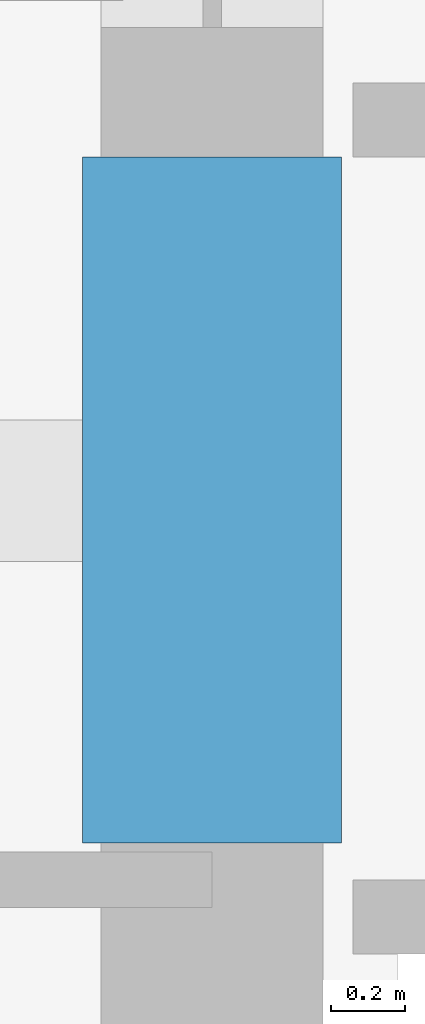
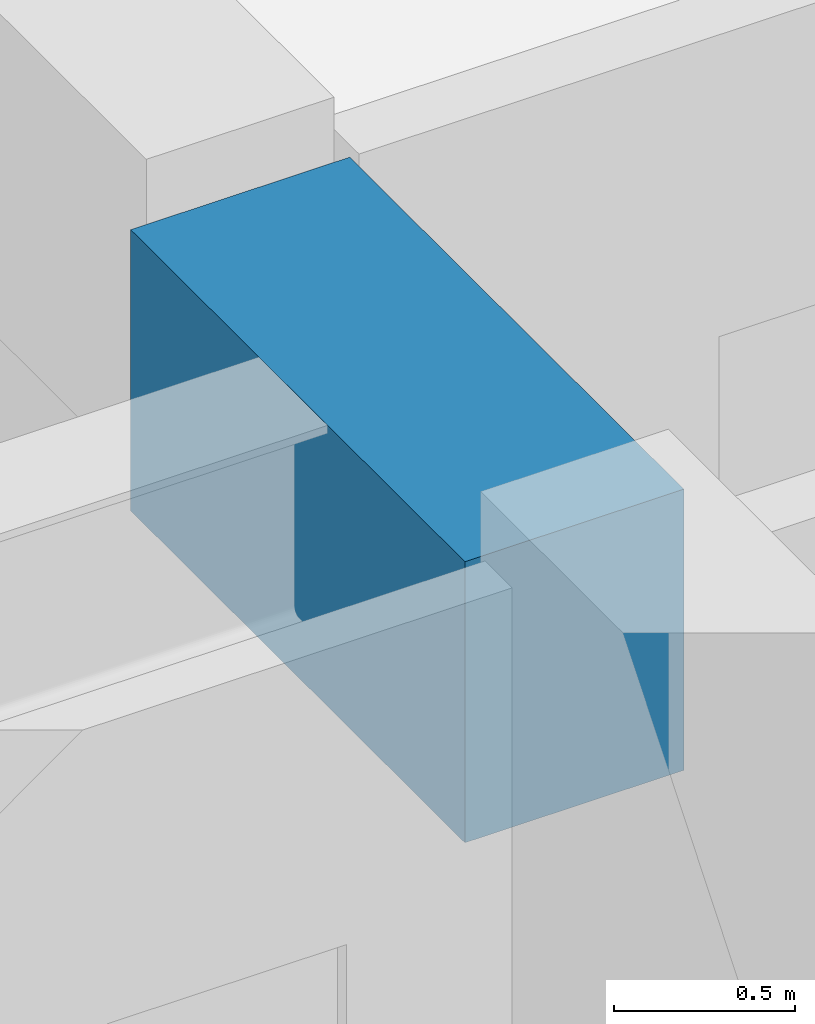
# One storey, part 5 of 36: 1 beam.
"""IFC4 building model written with IfcOpenShell, lengths in metres."""

from ifc_helpers import new_model, si_unit, direction, frame, origin, origin_2d, place, context, subcontext, project, spatial, rectangle, extrude, material, material_profile, profile_set, type_object, element, save


model = new_model("IFC4")

# Units and contexts
model_context = context("Model", 3, precision=1e-05, world=origin(), true_north=direction((0.0, 1.0)))
body_context = subcontext(model_context, "Body", "Model", "MODEL_VIEW")
ifc_project = project(units=[si_unit("LENGTHUNIT", "METRE"), si_unit("AREAUNIT", "SQUARE_METRE"), si_unit("VOLUMEUNIT", "CUBIC_METRE"), si_unit("PLANEANGLEUNIT", "RADIAN"), si_unit("MASSUNIT", "GRAM", prefix="KILO")], contexts=[model_context])

# Site, building, storey
site_placement = place(None, origin())
site = spatial("IfcSite", under=ifc_project, at=site_placement, CompositionType="ELEMENT")
building_placement = place(site_placement, origin())
building = spatial("IfcBuilding", under=site, at=building_placement, Name="Kolvaren Belvedere", CompositionType="ELEMENT")
storey_placement = place(building_placement, frame((0.0, 0.0, 92.0)))
storey = spatial("IfcBuildingStorey", under=building, at=storey_placement, Name="L26", CompositionType="ELEMENT", Elevation=92.0)

# Beam
ifc_material = material(Name="Concrete C60/75", Category="concrete")
ifc_material_profile = material_profile(ifc_material, rectangle(XDim=0.699951171875, YDim=0.949951171875, at=origin_2d()), Name="RC 700X950")
ifc_profile_set = profile_set([ifc_material_profile], Name="Concrete C60/75")
beam_type = type_object("IfcBeamType", Name="BM-LINT-950", PredefinedType="LINTEL", material=ifc_profile_set)
beam_placement = place(storey_placement, frame((-9.89990234375, -5.550048828125, 2.60498046875), z_axis=(0.0, 1.0, 0.0), x_axis=(-1.0, 0.0, 0.0)))
element("IfcBeam", 1, at=beam_placement, inside=storey, type_object=beam_type, Name="L26 West Core Coupling Lintel", PredefinedType="LINTEL", context=body_context, shape_type="SweptSolid", body=[
    extrude(rectangle(XDim=0.699951171875, YDim=0.949951171875, at=origin_2d()), origin(), (0.0, 0.0, 1.0), 1.85009765625),
])

save(model, "model.ifc")
